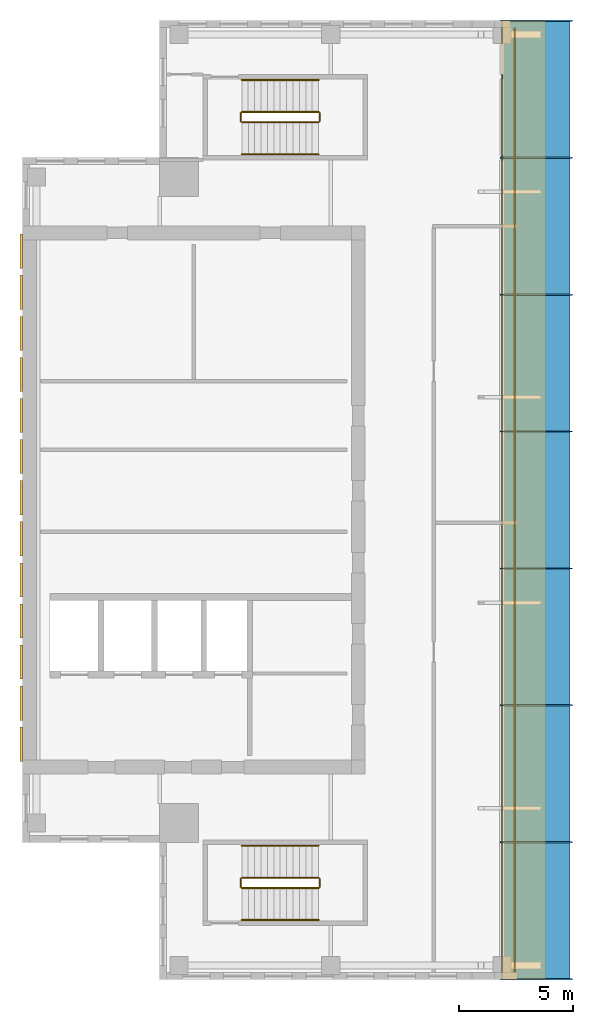
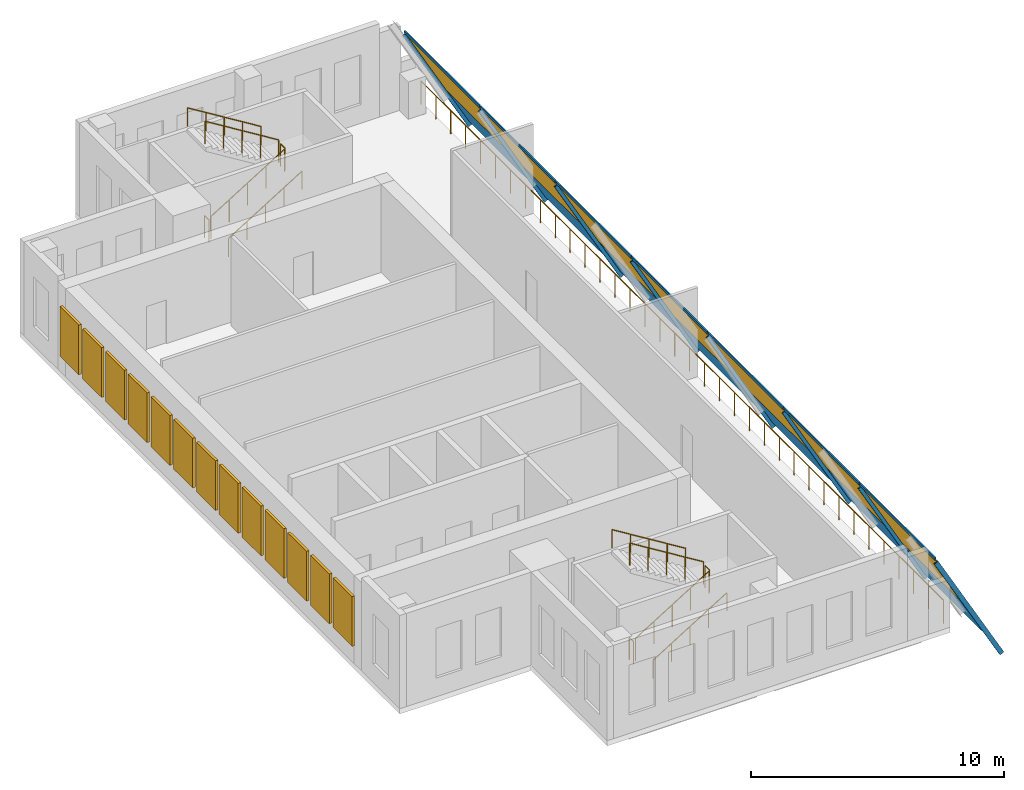
# One storey, part 5 of 5: 19 railings, 15 members, 13 coverings, 7 plates, 1 curtain wall.
"""IFC4 building model written with IfcOpenShell, lengths in metres."""

from ifc_helpers import new_model, si_unit, direction, frame, origin, origin_2d, place, context, subcontext, project, spatial, polyline, rectangle, hollow_rectangle, circle, outline, extrude, source, transform, mapped, material, layer, layer_set, material_profile, profile_set, type_object, element, aggregate, save


model = new_model("IFC4")

# Units and contexts
model_context = context("Model", 3, precision=1e-05, world=origin(), true_north=direction((0.0, 1.0)))
body_context = subcontext(model_context, "Body", "Model", "MODEL_VIEW")
ifc_project = project(units=[si_unit("LENGTHUNIT", "METRE"), si_unit("AREAUNIT", "SQUARE_METRE"), si_unit("VOLUMEUNIT", "CUBIC_METRE"), si_unit("PLANEANGLEUNIT", "RADIAN"), si_unit("MASSUNIT", "GRAM", prefix="KILO")], contexts=[model_context])

# Member
ifc_material_1 = material(Name="Aluminium", Category="aluminium")
ifc_material_profile_1 = material_profile(ifc_material_1, hollow_rectangle(XDim=0.06005859375, YDim=0.1201171875, WallThickness=0.0048828125, at=origin_2d()), Name="Crown roof glazing purlin CR-CW-T")
ifc_profile_set_1 = profile_set([ifc_material_profile_1], Name="Aluminium")
member_type_1 = type_object("IfcMemberType", Name="Crown roof glazing purlin CR-CW-T", PredefinedType="USERDEFINED", material=ifc_profile_set_1)
shared_shape_1 = source(origin(), body_context, "Body", "SweptSolid", [
    extrude(hollow_rectangle(XDim=0.06005859375, YDim=0.1201171875, WallThickness=0.0048828125, at=origin_2d()), origin(), (0.0, 0.0, 1.0), 5.93994140625),
])
site_placement = place(None, origin())
building_placement = place(site_placement, origin())
storey_placement = place(building_placement, frame((0.0, 0.0, 348.199951171875)))
member_1_placement = place(storey_placement, frame((27.0, 6.030029296875, 3.498291015625), z_axis=(0.0, 1.0, 0.0), x_axis=(-1.0, 0.0, 0.0)))
member_1 = element("IfcMember", 1, at=member_1_placement, type_object=member_type_1, Name="Crown glazing purlin", ObjectType="TRANSOM", PredefinedType="USERDEFINED", context=body_context, shape_type="MappedRepresentation", body=[
    mapped(shared_shape_1, transform((0.0, 0.0, 0.0))),
])

member_2_placement = place(storey_placement, frame((27.0, 12.030029296875, 3.498291015625), z_axis=(0.0, 1.0, 0.0), x_axis=(-1.0, 0.0, 0.0)))
member_2 = element("IfcMember", 2, at=member_2_placement, type_object=member_type_1, Name="Crown glazing purlin", ObjectType="TRANSOM", PredefinedType="USERDEFINED", context=body_context, shape_type="MappedRepresentation", body=[
    mapped(shared_shape_1, transform((0.0, 0.0, 0.0))),
])

member_3_placement = place(storey_placement, frame((27.0, 18.030029296875, 3.498291015625), z_axis=(0.0, 1.0, 0.0), x_axis=(-1.0, 0.0, 0.0)))
member_3 = element("IfcMember", 3, at=member_3_placement, type_object=member_type_1, Name="Crown glazing purlin", ObjectType="TRANSOM", PredefinedType="USERDEFINED", context=body_context, shape_type="MappedRepresentation", body=[
    mapped(shared_shape_1, transform((0.0, 0.0, 0.0))),
])

member_4_placement = place(storey_placement, frame((27.0, 24.030029296875, 3.498291015625), z_axis=(0.0, 1.0, 0.0), x_axis=(-1.0, 0.0, 0.0)))
member_4 = element("IfcMember", 4, at=member_4_placement, type_object=member_type_1, Name="Crown glazing purlin", ObjectType="TRANSOM", PredefinedType="USERDEFINED", context=body_context, shape_type="MappedRepresentation", body=[
    mapped(shared_shape_1, transform((0.0, 0.0, 0.0))),
])

member_5_placement = place(storey_placement, frame((27.0, 30.030029296875, 3.498291015625), z_axis=(0.0, 1.0, 0.0), x_axis=(-1.0, 0.0, 0.0)))
member_5 = element("IfcMember", 5, at=member_5_placement, type_object=member_type_1, Name="Crown glazing purlin", ObjectType="TRANSOM", PredefinedType="USERDEFINED", context=body_context, shape_type="MappedRepresentation", body=[
    mapped(shared_shape_1, transform((0.0, 0.0, 0.0))),
])

member_6_placement = place(storey_placement, frame((27.0, 36.030029296875, 3.498291015625), z_axis=(0.0, 1.0, 0.0), x_axis=(-1.0, 0.0, 0.0)))
member_6 = element("IfcMember", 6, at=member_6_placement, type_object=member_type_1, Name="Crown glazing purlin", ObjectType="TRANSOM", PredefinedType="USERDEFINED", context=body_context, shape_type="MappedRepresentation", body=[
    mapped(shared_shape_1, transform((0.0, 0.0, 0.0))),
])

member_7_placement = place(storey_placement, frame((27.0, 42.030029296875, 3.498291015625), z_axis=(0.0, 1.0, 0.0), x_axis=(-1.0, 0.0, 0.0)))
member_7 = element("IfcMember", 7, at=member_7_placement, type_object=member_type_1, Name="Crown glazing purlin", ObjectType="TRANSOM", PredefinedType="USERDEFINED", context=body_context, shape_type="MappedRepresentation", body=[
    mapped(shared_shape_1, transform((0.0, 0.0, 0.0))),
])

ifc_material_2 = material(Name="Aluminium", Category="aluminium")
ifc_material_profile_2 = material_profile(ifc_material_2, hollow_rectangle(XDim=0.06005859375, YDim=0.199951171875, WallThickness=0.0048828125, at=origin_2d()), Name="Crown roof glazing rafter CR-CW-M")
ifc_profile_set_2 = profile_set([ifc_material_profile_2], Name="Aluminium")
member_type_2 = type_object("IfcMemberType", Name="Crown roof glazing rafter CR-CW-M", PredefinedType="MULLION", material=ifc_profile_set_2)
shared_shape_2 = source(origin(), body_context, "Body", "SweptSolid", [
    extrude(hollow_rectangle(XDim=0.06005859375, YDim=0.199951171875, WallThickness=0.0048828125, at=origin_2d()), origin(), (0.0, 0.0, 1.0), 6.19921875),
])
member_8_placement = place(storey_placement, frame((27.0, 6.0, 3.3515625), z_axis=(0.483926647766, 0.0, -0.875108564454), x_axis=(0.0, 1.0, 0.0)))
member_8 = element("IfcMember", 8, at=member_8_placement, type_object=member_type_2, Name="Crown glazing rafter", PredefinedType="MULLION", context=body_context, shape_type="MappedRepresentation", body=[
    mapped(shared_shape_2, transform((0.0, 0.0, 0.0))),
])

member_9_placement = place(storey_placement, frame((27.0, 12.0, 3.3515625), z_axis=(0.483926647766, 0.0, -0.875108564454), x_axis=(0.0, 1.0, 0.0)))
member_9 = element("IfcMember", 9, at=member_9_placement, type_object=member_type_2, Name="Crown glazing rafter", PredefinedType="MULLION", context=body_context, shape_type="MappedRepresentation", body=[
    mapped(shared_shape_2, transform((0.0, 0.0, 0.0))),
])

member_10_placement = place(storey_placement, frame((27.0, 18.0, 3.3515625), z_axis=(0.483926647766, 0.0, -0.875108564454), x_axis=(0.0, 1.0, 0.0)))
member_10 = element("IfcMember", 10, at=member_10_placement, type_object=member_type_2, Name="Crown glazing rafter", PredefinedType="MULLION", context=body_context, shape_type="MappedRepresentation", body=[
    mapped(shared_shape_2, transform((0.0, 0.0, 0.0))),
])

member_11_placement = place(storey_placement, frame((27.0, 24.0, 3.3515625), z_axis=(0.483926647766, 0.0, -0.875108564454), x_axis=(0.0, 1.0, 0.0)))
member_11 = element("IfcMember", 11, at=member_11_placement, type_object=member_type_2, Name="Crown glazing rafter", PredefinedType="MULLION", context=body_context, shape_type="MappedRepresentation", body=[
    mapped(shared_shape_2, transform((0.0, 0.0, 0.0))),
])

member_12_placement = place(storey_placement, frame((27.0, 30.0, 3.3515625), z_axis=(0.483926647766, 0.0, -0.875108564454), x_axis=(0.0, 1.0, 0.0)))
member_12 = element("IfcMember", 12, at=member_12_placement, type_object=member_type_2, Name="Crown glazing rafter", PredefinedType="MULLION", context=body_context, shape_type="MappedRepresentation", body=[
    mapped(shared_shape_2, transform((0.0, 0.0, 0.0))),
])

member_13_placement = place(storey_placement, frame((27.0, 36.0, 3.3515625), z_axis=(0.483926647766, 0.0, -0.875108564454), x_axis=(0.0, 1.0, 0.0)))
member_13 = element("IfcMember", 13, at=member_13_placement, type_object=member_type_2, Name="Crown glazing rafter", PredefinedType="MULLION", context=body_context, shape_type="MappedRepresentation", body=[
    mapped(shared_shape_2, transform((0.0, 0.0, 0.0))),
])

member_14_placement = place(storey_placement, frame((27.0, 42.0, 3.3515625), z_axis=(0.483926647766, 0.0, -0.875108564454), x_axis=(0.0, 1.0, 0.0)))
member_14 = element("IfcMember", 14, at=member_14_placement, type_object=member_type_2, Name="Crown glazing rafter", PredefinedType="MULLION", context=body_context, shape_type="MappedRepresentation", body=[
    mapped(shared_shape_2, transform((0.0, 0.0, 0.0))),
])

member_15_placement = place(storey_placement, frame((27.0, 48.0, 3.3515625), z_axis=(0.483926647766, 0.0, -0.875108564454), x_axis=(0.0, 1.0, 0.0)))
member_15 = element("IfcMember", 15, at=member_15_placement, type_object=member_type_2, Name="Crown glazing rafter", PredefinedType="MULLION", context=body_context, shape_type="MappedRepresentation", body=[
    mapped(shared_shape_2, transform((0.0, 0.0, 0.0))),
])

# Plate
ifc_material_3 = material(Name="Laminated heat-strengthened glass", Category="glass")
ifc_layer_1 = layer(ifc_material_3, 0.031982421875)
ifc_layer_set_1 = layer_set([ifc_layer_1], Name="Laminated heat-strengthened glass")
plate_type = type_object("IfcPlateType", Name="Crown roof glazing panel CR-CW-P", PredefinedType="CURTAIN_PANEL", material=ifc_layer_set_1)
plate_1_placement = place(storey_placement, frame((27.030029296875, 6.030029296875, 3.4619140625), z_axis=(0.875107190461, 0.0, 0.483929132418), x_axis=(0.483929132418, 0.0, -0.875107190461)))
plate_1 = element("IfcPlate", 16, at=plate_1_placement, type_object=plate_type, Name="Crown roof glazing panel", PredefinedType="CURTAIN_PANEL", context=body_context, shape_type="SweptSolid", body=[
    extrude(outline(polyline([(0.0, 0.0), (6.075148630874993, 0.0), (6.075148630874993, 5.93994140625), (0.0, 5.93994140625), (0.0, 0.0)])), origin(), (0.0, 0.0, -1.0), 0.031982421875),
])

plate_2_placement = place(storey_placement, frame((27.030029296875, 12.030029296875, 3.4619140625), z_axis=(0.875107190461, 0.0, 0.483929132418), x_axis=(0.483929132418, 0.0, -0.875107190461)))
plate_2 = element("IfcPlate", 17, at=plate_2_placement, type_object=plate_type, Name="Crown roof glazing panel", PredefinedType="CURTAIN_PANEL", context=body_context, shape_type="SweptSolid", body=[
    extrude(outline(polyline([(0.0, 0.0), (6.075148630874993, 0.0), (6.075148630874993, 5.93994140625), (0.0, 5.93994140625), (0.0, 0.0)])), origin(), (0.0, 0.0, -1.0), 0.031982421875),
])

plate_3_placement = place(storey_placement, frame((27.030029296875, 18.030029296875, 3.4619140625), z_axis=(0.875107190461, 0.0, 0.483929132418), x_axis=(0.483929132418, 0.0, -0.875107190461)))
plate_3 = element("IfcPlate", 18, at=plate_3_placement, type_object=plate_type, Name="Crown roof glazing panel", PredefinedType="CURTAIN_PANEL", context=body_context, shape_type="SweptSolid", body=[
    extrude(outline(polyline([(0.0, 0.0), (6.075148630874993, 0.0), (6.075148630874993, 5.93994140625), (0.0, 5.93994140625), (0.0, 0.0)])), origin(), (0.0, 0.0, -1.0), 0.031982421875),
])

plate_4_placement = place(storey_placement, frame((27.030029296875, 24.030029296875, 3.4619140625), z_axis=(0.875107190461, 0.0, 0.483929132418), x_axis=(0.483929132418, 0.0, -0.875107190461)))
plate_4 = element("IfcPlate", 19, at=plate_4_placement, type_object=plate_type, Name="Crown roof glazing panel", PredefinedType="CURTAIN_PANEL", context=body_context, shape_type="SweptSolid", body=[
    extrude(outline(polyline([(0.0, 0.0), (6.075148630874993, 0.0), (6.075148630874993, 5.93994140625), (0.0, 5.93994140625), (0.0, 0.0)])), origin(), (0.0, 0.0, -1.0), 0.031982421875),
])

plate_5_placement = place(storey_placement, frame((27.030029296875, 30.030029296875, 3.4619140625), z_axis=(0.875107190461, 0.0, 0.483929132418), x_axis=(0.483929132418, 0.0, -0.875107190461)))
plate_5 = element("IfcPlate", 20, at=plate_5_placement, type_object=plate_type, Name="Crown roof glazing panel", PredefinedType="CURTAIN_PANEL", context=body_context, shape_type="SweptSolid", body=[
    extrude(outline(polyline([(0.0, 0.0), (6.075148630874993, 0.0), (6.075148630874993, 5.93994140625), (0.0, 5.93994140625), (0.0, 0.0)])), origin(), (0.0, 0.0, -1.0), 0.031982421875),
])

plate_6_placement = place(storey_placement, frame((27.030029296875, 36.030029296875, 3.4619140625), z_axis=(0.875107190461, 0.0, 0.483929132418), x_axis=(0.483929132418, 0.0, -0.875107190461)))
plate_6 = element("IfcPlate", 21, at=plate_6_placement, type_object=plate_type, Name="Crown roof glazing panel", PredefinedType="CURTAIN_PANEL", context=body_context, shape_type="SweptSolid", body=[
    extrude(outline(polyline([(0.0, 0.0), (6.075148630874993, 0.0), (6.075148630874993, 5.93994140625), (0.0, 5.93994140625), (0.0, 0.0)])), origin(), (0.0, 0.0, -1.0), 0.031982421875),
])

plate_7_placement = place(storey_placement, frame((27.030029296875, 42.030029296875, 3.4619140625), z_axis=(0.875107190461, 0.0, 0.483929132418), x_axis=(0.483929132418, 0.0, -0.875107190461)))
plate_7 = element("IfcPlate", 22, at=plate_7_placement, type_object=plate_type, Name="Crown roof glazing panel", PredefinedType="CURTAIN_PANEL", context=body_context, shape_type="SweptSolid", body=[
    extrude(outline(polyline([(0.0, 0.0), (6.075148630874993, 0.0), (6.075148630874993, 5.93994140625), (0.0, 5.93994140625), (0.0, 0.0)])), origin(), (0.0, 0.0, -1.0), 0.031982421875),
])

# Site, building, storey
site = spatial("IfcSite", under=ifc_project, at=site_placement, CompositionType="ELEMENT")
building = spatial("IfcBuilding", under=site, at=building_placement, Name="Khomas Fold Tower", CompositionType="ELEMENT")
storey = spatial("IfcBuildingStorey", under=building, at=storey_placement, Name="C5", CompositionType="ELEMENT", Elevation=348.199951171875)

# Curtain wall
ifc_material_4 = material(Name="Aluminium framed double glazing", Category="aluminium")
curtain_wall_type = type_object("IfcCurtainWallType", Name="Crown roof glazing CR-CW", PredefinedType="NOTDEFINED", material=ifc_material_4)
curtain_wall_placement = place(storey_placement, frame((27.0, 12.0, 3.51123046875), z_axis=(0.875097131337, 0.0, 0.483947322264), x_axis=(0.0, 1.0, 0.0)))
curtain_wall = element("IfcCurtainWall", 23, at=curtain_wall_placement, inside=storey, type_object=curtain_wall_type, Name="Crown roof glazing W C5", PredefinedType="NOTDEFINED", context=body_context, shape_type="SweptSolid", body=[
    extrude(outline(polyline([(0.0, 0.0), (6.0, 0.0), (12.0, 0.0), (18.0, 0.0), (24.0, 0.0), (30.0, 0.0), (36.0, 0.0), (36.0, -3.975284161097458), (-6.0, -3.975284161097458), (-6.0, 0.0), (0.0, 0.0)])), origin(), (0.0, 0.0, -1.0), 0.031982421875),
])

aggregate(curtain_wall, [member_8, member_9, member_10, member_11, member_12, member_13, member_14, member_15, member_1, member_2, member_3, member_4, member_5, member_6, member_7, plate_1, plate_2, plate_3, plate_4, plate_5, plate_6, plate_7])

# Coverings
ifc_material_5 = material(Name="Aluminium louvre", Category="aluminium")
ifc_layer_2 = layer(ifc_material_5, 0.1201171875)
ifc_layer_set_2 = layer_set([ifc_layer_2], Name="Aluminium louvre")
covering_type = type_object("IfcCoveringType", Name="Crown louvre screen CR-LS", PredefinedType="CLADDING", material=ifc_layer_set_2)
shared_shape_3 = source(origin(), body_context, "Body", "SweptSolid", [
    extrude(rectangle(XDim=1.5, YDim=0.1201171875, at=origin_2d()), origin(), (0.0, 0.0, 1.0), 2.39990234375),
])
for number, where, z_axis, x_axis, name in (
    (24, (5.93994140625, 37.900146484375, 0.900146484375), (0.0, 0.0, 1.0), (0.0, -1.0, 0.0), "Crown louvre screen"),
    (25, (5.93994140625, 36.10009765625, 0.900146484375), (0.0, 0.0, 1.0), (0.0, -1.0, 0.0), "Crown louvre screen"),
    (26, (5.93994140625, 34.300048828125, 0.900146484375), (0.0, 0.0, 1.0), (0.0, -1.0, 0.0), "Crown louvre screen"),
    (27, (5.93994140625, 32.5, 0.900146484375), (0.0, 0.0, 1.0), (0.0, -1.0, 0.0), "Crown louvre screen"),
    (28, (5.93994140625, 30.7001953125, 0.900146484375), (0.0, 0.0, 1.0), (0.0, -1.0, 0.0), "Crown louvre screen"),
    (29, (5.93994140625, 28.900146484375, 0.900146484375), (0.0, 0.0, 1.0), (0.0, -1.0, 0.0), "Crown louvre screen"),
    (30, (5.93994140625, 27.10009765625, 0.900146484375), (0.0, 0.0, 1.0), (0.0, -1.0, 0.0), "Crown louvre screen"),
    (31, (5.93994140625, 25.300048828125, 0.900146484375), (0.0, 0.0, 1.0), (0.0, -1.0, 0.0), "Crown louvre screen"),
    (32, (5.93994140625, 23.5, 0.900146484375), (0.0, 0.0, 1.0), (0.0, -1.0, 0.0), "Crown louvre screen"),
    (33, (5.93994140625, 21.7001953125, 0.900146484375), (0.0, 0.0, 1.0), (0.0, -1.0, 0.0), "Crown louvre screen"),
    (34, (5.93994140625, 19.900146484375, 0.900146484375), (0.0, 0.0, 1.0), (0.0, -1.0, 0.0), "Crown louvre screen"),
    (35, (5.93994140625, 18.10009765625, 0.900146484375), (0.0, 0.0, 1.0), (0.0, -1.0, 0.0), "Crown louvre screen"),
    (36, (5.93994140625, 16.300048828125, 0.900146484375), (0.0, 0.0, 1.0), (0.0, -1.0, 0.0), "Crown louvre screen"),
):
    element("IfcCovering", number, at=place(storey_placement, frame(where, z_axis=z_axis, x_axis=x_axis)), inside=storey, type_object=covering_type, Name=name, PredefinedType="CLADDING", context=body_context, shape_type="MappedRepresentation", body=[
        mapped(shared_shape_3, transform((0.0, 0.0, 0.0))),
    ])

# Railings
ifc_material_6 = material(Name="Powder-coated steel", Category="steel")
railing_type_1 = type_object("IfcRailingType", Name="Balcony guard", PredefinedType="GUARDRAIL", material=ifc_material_6)
shared_shape_4 = source(origin(), body_context, "Body", "SweptSolid", [
    extrude(circle(Radius=0.02490234375, at=origin_2d()), frame((0.0, 0.0, 1.125), z_axis=(0.0, 1.0, 0.0), x_axis=(-1.0, 0.0, 0.0)), (0.0, 0.0, 1.0), 5.89990234375),
    extrude(circle(Radius=0.02001953125, at=origin_2d()), origin(), (0.0, 0.0, 1.0), 1.099853515625),
    extrude(circle(Radius=0.02001953125, at=origin_2d()), frame((0.0, 1.179931640625, 0.0)), (0.0, 0.0, 1.0), 1.099853515625),
    extrude(circle(Radius=0.02001953125, at=origin_2d()), frame((0.0, 2.35986328125, 0.0)), (0.0, 0.0, 1.0), 1.099853515625),
    extrude(circle(Radius=0.02001953125, at=origin_2d()), frame((0.0, 3.5400390625, 0.0)), (0.0, 0.0, 1.0), 1.099853515625),
    extrude(circle(Radius=0.02001953125, at=origin_2d()), frame((0.0, 4.719970703125, 0.0)), (0.0, 0.0, 1.0), 1.099853515625),
    extrude(circle(Radius=0.02001953125, at=origin_2d()), frame((0.0, 5.89990234375, 0.0)), (0.0, 0.0, 1.0), 1.099853515625),
])
for number, where, name in (
    (37, (27.5498046875, 6.35009765625, 0.0), "GUARD 231"),
    (38, (27.5498046875, 12.25, 0.0), "GUARD 231"),
    (39, (27.5498046875, 24.050048828125, 0.0), "GUARD 231"),
    (40, (27.5498046875, 35.85009765625, 0.0), "GUARD 231"),
    (41, (27.5498046875, 41.75, 0.0), "GUARD 231"),
):
    element("IfcRailing", number, at=place(storey_placement, frame(where)), inside=storey, type_object=railing_type_1, Name=name, PredefinedType="GUARDRAIL", context=body_context, shape_type="MappedRepresentation", body=[
        mapped(shared_shape_4, transform((0.0, 0.0, 0.0))),
    ])
shared_shape_5 = source(origin(), body_context, "Body", "SweptSolid", [
    extrude(circle(Radius=0.02490234375, at=origin_2d()), frame((0.0, 0.0, 1.125), z_axis=(0.0, 1.0, 0.0), x_axis=(-1.0, 0.0, 0.0)), (0.0, 0.0, 1.0), 5.900146484375),
    extrude(circle(Radius=0.02001953125, at=origin_2d()), origin(), (0.0, 0.0, 1.0), 1.099853515625),
    extrude(circle(Radius=0.02001953125, at=origin_2d()), frame((0.0, 1.179931640625, 0.0)), (0.0, 0.0, 1.0), 1.099853515625),
    extrude(circle(Radius=0.02001953125, at=origin_2d()), frame((0.0, 2.360107421875, 0.0)), (0.0, 0.0, 1.0), 1.099853515625),
    extrude(circle(Radius=0.02001953125, at=origin_2d()), frame((0.0, 3.5400390625, 0.0)), (0.0, 0.0, 1.0), 1.099853515625),
    extrude(circle(Radius=0.02001953125, at=origin_2d()), frame((0.0, 4.72021484375, 0.0)), (0.0, 0.0, 1.0), 1.099853515625),
    extrude(circle(Radius=0.02001953125, at=origin_2d()), frame((0.0, 5.900146484375, 0.0)), (0.0, 0.0, 1.0), 1.099853515625),
])
for number, where, name in (
    (42, (27.5498046875, 18.14990234375, 0.0), "GUARD 231"),
    (43, (27.5498046875, 29.949951171875, 0.0), "GUARD 231"),
):
    element("IfcRailing", number, at=place(storey_placement, frame(where)), inside=storey, type_object=railing_type_1, Name=name, PredefinedType="GUARDRAIL", context=body_context, shape_type="MappedRepresentation", body=[
        mapped(shared_shape_5, transform((0.0, 0.0, 0.0))),
    ])
ifc_material_7 = material(Name="Steel balustrade", Category="steel")
railing_type_2 = type_object("IfcRailingType", Name="Stair guard", PredefinedType="GUARDRAIL", material=ifc_material_7)
shared_shape_6 = source(origin(), body_context, "Body", "SweptSolid", [
    extrude(circle(Radius=0.02392578125, at=origin_2d()), frame((0.0, 0.0, 1.076171875), z_axis=(0.850606129759, 0.0, 0.525803396734), x_axis=(0.0, 1.0, 0.0)), (0.0, 0.0, 1.0), 3.949951171875),
    extrude(circle(Radius=0.02099609375, at=origin_2d()), origin(), (0.0, 0.0, 1.0), 1.052001953125),
    extrude(circle(Radius=0.02099609375, at=origin_2d()), frame((0.83984375, 0.0, 0.519287109375)), (0.0, 0.0, 1.0), 1.052001953125),
    extrude(circle(Radius=0.02099609375, at=origin_2d()), frame((1.679931640625, 0.0, 1.03857421875)), (0.0, 0.0, 1.0), 1.052001953125),
    extrude(circle(Radius=0.02099609375, at=origin_2d()), frame((2.52001953125, 0.0, 1.5576171875)), (0.0, 0.0, 1.0), 1.052001953125),
    extrude(circle(Radius=0.02099609375, at=origin_2d()), frame((3.35986328125, 0.0, 2.076904296875)), (0.0, 0.0, 1.0), 1.052001953125),
])
for number, where, name in (
    (44, (15.60009765625, 43.550048828125, 0.173095703125), "C5 ST1 stair guard 1"),
    (45, (15.60009765625, 10.0, 0.173095703125), "C5 ST2 stair guard 1"),
):
    element("IfcRailing", number, at=place(storey_placement, frame(where)), inside=storey, type_object=railing_type_2, Name=name, PredefinedType="GUARDRAIL", context=body_context, shape_type="MappedRepresentation", body=[
        mapped(shared_shape_6, transform((0.0, 0.0, 0.0))),
    ])
shared_shape_7 = source(origin(), body_context, "Body", "SweptSolid", [
    extrude(circle(Radius=0.02392578125, at=origin_2d()), frame((0.0, 0.0, 1.076171875), z_axis=(0.0, 1.0, 0.0), x_axis=(-1.0, 0.0, 0.0)), (0.0, 0.0, 1.0), 0.349853515625),
    extrude(circle(Radius=0.02099609375, at=origin_2d()), origin(), (0.0, 0.0, 1.0), 1.052001953125),
    extrude(circle(Radius=0.02099609375, at=origin_2d()), frame((0.0, 0.349853515625, 0.0)), (0.0, 0.0, 1.0), 1.052001953125),
])
for number, where, name in (
    (46, (19.010009765625, 43.60009765625, 2.25), "C5 ST1 stair guard 2"),
    (47, (15.550048828125, 43.60009765625, 0.0), "C5 ST1 stair guard 4"),
    (48, (19.010009765625, 10.050048828125, 2.25), "C5 ST2 stair guard 2"),
    (49, (15.550048828125, 10.050048828125, 0.0), "C5 ST2 stair guard 4"),
):
    element("IfcRailing", number, at=place(storey_placement, frame(where)), inside=storey, type_object=railing_type_2, Name=name, PredefinedType="GUARDRAIL", context=body_context, shape_type="MappedRepresentation", body=[
        mapped(shared_shape_7, transform((0.0, 0.0, 0.0))),
    ])
shared_shape_8 = source(origin(), body_context, "Body", "SweptSolid", [
    extrude(circle(Radius=0.02392578125, at=origin_2d()), frame((0.0, 0.0, 1.076171875), z_axis=(-0.850606129759, 0.0, 0.525803396734), x_axis=(0.0, -1.0, 0.0)), (0.0, 0.0, 1.0), 3.949951171875),
    extrude(circle(Radius=0.02099609375, at=origin_2d()), origin(), (0.0, 0.0, 1.0), 1.052001953125),
    extrude(circle(Radius=0.02099609375, at=origin_2d()), frame((-0.83984375, 0.0, 0.519287109375)), (0.0, 0.0, 1.0), 1.052001953125),
    extrude(circle(Radius=0.02099609375, at=origin_2d()), frame((-1.679931640625, 0.0, 1.03857421875)), (0.0, 0.0, 1.0), 1.052001953125),
    extrude(circle(Radius=0.02099609375, at=origin_2d()), frame((-2.52001953125, 0.0, 1.5576171875)), (0.0, 0.0, 1.0), 1.052001953125),
    extrude(circle(Radius=0.02099609375, at=origin_2d()), frame((-3.35986328125, 0.0, 2.076904296875)), (0.0, 0.0, 1.0), 1.052001953125),
])
for number, where, name in (
    (50, (18.9599609375, 44.0, 2.423095703125), "C5 ST1 stair guard 3"),
    (51, (18.9599609375, 10.449951171875, 2.423095703125), "C5 ST2 stair guard 3"),
):
    element("IfcRailing", number, at=place(storey_placement, frame(where)), inside=storey, type_object=railing_type_2, Name=name, PredefinedType="GUARDRAIL", context=body_context, shape_type="MappedRepresentation", body=[
        mapped(shared_shape_8, transform((0.0, 0.0, 0.0))),
    ])
ifc_material_8 = material(Name="Steel handrail", Category="steel")
railing_type_3 = type_object("IfcRailingType", Name="Stair handrail", PredefinedType="HANDRAIL", material=ifc_material_8)
shared_shape_9 = source(origin(), body_context, "Body", "SweptSolid", [
    extrude(circle(Radius=0.02392578125, at=origin_2d()), frame((0.0, 0.0, 0.8759765625), z_axis=(0.850606129759, 0.0, 0.525803396734), x_axis=(0.0, 1.0, 0.0)), (0.0, 0.0, 1.0), 3.949951171875),
    extrude(circle(Radius=0.02099609375, at=origin_2d()), origin(), (0.0, 0.0, 1.0), 0.851806640625),
    extrude(circle(Radius=0.02099609375, at=origin_2d()), frame((0.83984375, 0.0, 0.519287109375)), (0.0, 0.0, 1.0), 0.851806640625),
    extrude(circle(Radius=0.02099609375, at=origin_2d()), frame((1.679931640625, 0.0, 1.03857421875)), (0.0, 0.0, 1.0), 0.851806640625),
    extrude(circle(Radius=0.02099609375, at=origin_2d()), frame((2.52001953125, 0.0, 1.5576171875)), (0.0, 0.0, 1.0), 0.851806640625),
    extrude(circle(Radius=0.02099609375, at=origin_2d()), frame((3.35986328125, 0.0, 2.076904296875)), (0.0, 0.0, 1.0), 0.851806640625),
])
for number, where, name in (
    (52, (15.60009765625, 42.14990234375, 0.173095703125), "C5 ST1 stair handrail 1"),
    (53, (15.60009765625, 8.60009765625, 0.173095703125), "C5 ST2 stair handrail 1"),
):
    element("IfcRailing", number, at=place(storey_placement, frame(where)), inside=storey, type_object=railing_type_3, Name=name, PredefinedType="HANDRAIL", context=body_context, shape_type="MappedRepresentation", body=[
        mapped(shared_shape_9, transform((0.0, 0.0, 0.0))),
    ])
shared_shape_10 = source(origin(), body_context, "Body", "SweptSolid", [
    extrude(circle(Radius=0.02392578125, at=origin_2d()), frame((0.0, 0.0, 0.8759765625), z_axis=(-0.850606129759, 0.0, 0.525803396734), x_axis=(0.0, -1.0, 0.0)), (0.0, 0.0, 1.0), 3.949951171875),
    extrude(circle(Radius=0.02099609375, at=origin_2d()), origin(), (0.0, 0.0, 1.0), 0.851806640625),
    extrude(circle(Radius=0.02099609375, at=origin_2d()), frame((-0.83984375, 0.0, 0.519287109375)), (0.0, 0.0, 1.0), 0.851806640625),
    extrude(circle(Radius=0.02099609375, at=origin_2d()), frame((-1.679931640625, 0.0, 1.03857421875)), (0.0, 0.0, 1.0), 0.851806640625),
    extrude(circle(Radius=0.02099609375, at=origin_2d()), frame((-2.52001953125, 0.0, 1.5576171875)), (0.0, 0.0, 1.0), 0.851806640625),
    extrude(circle(Radius=0.02099609375, at=origin_2d()), frame((-3.35986328125, 0.0, 2.076904296875)), (0.0, 0.0, 1.0), 0.851806640625),
])
for number, where, name in (
    (54, (18.9599609375, 45.39990234375, 2.423095703125), "C5 ST1 stair handrail 2"),
    (55, (18.9599609375, 11.85009765625, 2.423095703125), "C5 ST2 stair handrail 2"),
):
    element("IfcRailing", number, at=place(storey_placement, frame(where)), inside=storey, type_object=railing_type_3, Name=name, PredefinedType="HANDRAIL", context=body_context, shape_type="MappedRepresentation", body=[
        mapped(shared_shape_10, transform((0.0, 0.0, 0.0))),
    ])

save(model, "model.ifc")
